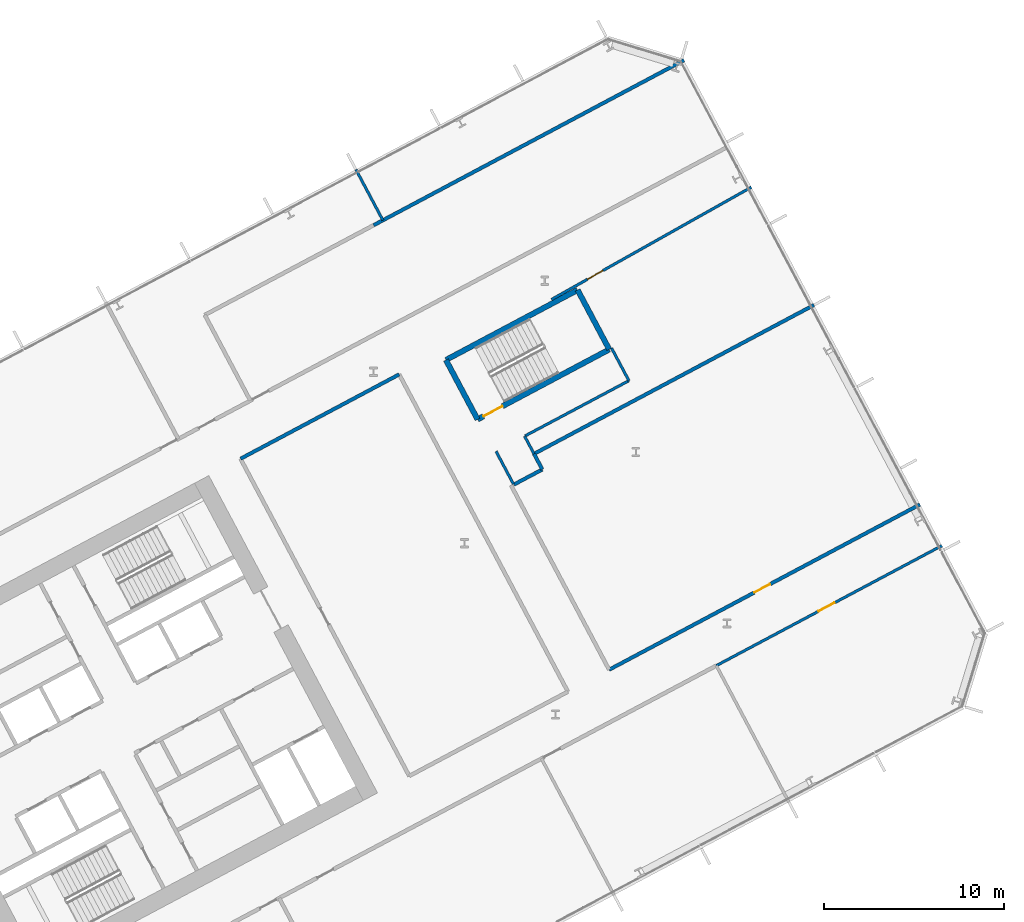
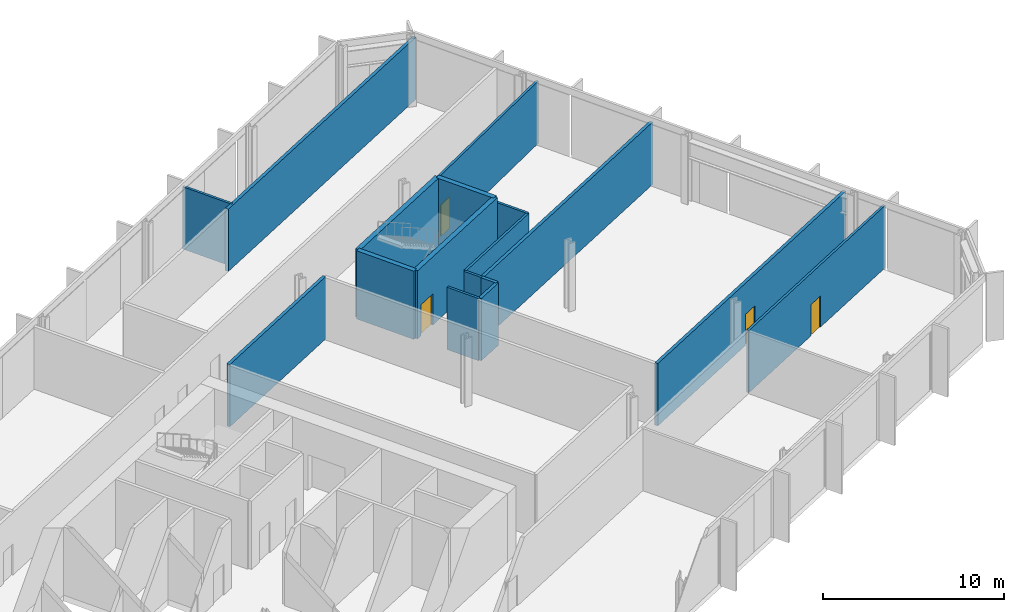
# One storey, part 19 of 31: 17 walls, 4 doors, 4 openings.
"""IFC4 building model written with IfcOpenShell, lengths in metres."""

import ifcopenshell
import ifcopenshell.guid

model = None  # the IFC model being written
_history = None  # IfcOwnerHistory: only IFC2X3 demands one
_inside = {}  # id of a spatial element -> (the spatial element, [elements in it])
_under = {}  # id of a project, library or spatial element -> (it, [spatial elements below it])
_declared = {}  # id of a project -> (the project, [libraries it declares])
_typed = {}  # id of a type object -> (the type object, [elements of that type])
_made_of = {}  # id of a material, layer set ... -> (it, [elements and type objects made of it])


def new_model(schema):
    """Start an empty IFC model of exactly this schema.

    Asked for "IFC4X3", IfcOpenShell would pick the latest addendum, in which some entities
    have other attributes; the version numbers below select the first issue.
    IFC2X3 requires an IfcOwnerHistory on every rooted entity: one is made here for all.
    """
    global model, _history
    if schema == "IFC4X3":
        model = ifcopenshell.file(schema_version=(4, 3, 0, 0))
    else:
        model = ifcopenshell.file(schema=schema)
    _inside.clear()
    _under.clear()
    _declared.clear()
    _typed.clear()
    _made_of.clear()
    _history = None
    if model.schema == "IFC2X3":
        org = make("IfcOrganization", Name="unknown")
        user = make(
            "IfcPersonAndOrganization",
            ThePerson=make("IfcPerson", FamilyName="unknown"),
            TheOrganization=org,
        )
        app = make(
            "IfcApplication",
            ApplicationDeveloper=org,
            Version="unknown",
            ApplicationFullName="unknown",
            ApplicationIdentifier="unknown",
        )
        _history = make(
            "IfcOwnerHistory",
            OwningUser=user,
            OwningApplication=app,
            ChangeAction="ADDED",
            CreationDate=0,
        )
    return model


def make(cls, **values):
    """One entity of the class cls with the attributes given. An attribute that is None is left unset."""
    return model.create_entity(
        cls, **{name: value for name, value in values.items() if value is not None}
    )


def rooted(cls, **values):
    """An entity with a GlobalId (a new one), such as an element, a storey or a relation."""
    return make(cls, GlobalId=ifcopenshell.guid.new(), OwnerHistory=_history, **values)


def si_unit(unit_type, name, prefix=None):
    """IfcSIUnit, for example si_unit("LENGTHUNIT", "METRE", prefix="MILLI")."""
    return make("IfcSIUnit", UnitType=unit_type, Prefix=prefix, Name=name)


def assignment(units):
    """IfcUnitAssignment: the units of a project."""
    return None if units is None else make("IfcUnitAssignment", Units=units)


def point(xyz):
    """IfcCartesianPoint."""
    return None if xyz is None else make("IfcCartesianPoint", Coordinates=xyz)


def direction(xyz):
    """IfcDirection."""
    return None if xyz is None else make("IfcDirection", DirectionRatios=xyz)


def frame(location, z_axis=None, x_axis=None):
    """IfcAxis2Placement3D, a coordinate frame: its origin and axes. An axis left out is left unset."""
    return make(
        "IfcAxis2Placement3D",
        Location=point(location),
        Axis=direction(z_axis),
        RefDirection=direction(x_axis),
    )


def frame_2d(location, x_axis=None):
    """IfcAxis2Placement2D, a coordinate frame in the plane: its origin and x axis."""
    return make(
        "IfcAxis2Placement2D", Location=point(location), RefDirection=direction(x_axis)
    )


def origin():
    """The frame at (0, 0, 0) with its axes left unset."""
    return frame((0.0, 0.0, 0.0))


def place(relative_to, where):
    """IfcLocalPlacement: puts the frame where relative to a parent placement (None: the world)."""
    return make(
        "IfcLocalPlacement", PlacementRelTo=relative_to, RelativePlacement=where
    )


def context(
    kind, dimensions, precision=None, world=None, true_north=None, identifier=None
):
    """IfcGeometricRepresentationContext, for example the 3D "Model" context."""
    return make(
        "IfcGeometricRepresentationContext",
        ContextIdentifier=identifier,
        ContextType=kind,
        CoordinateSpaceDimension=dimensions,
        Precision=precision,
        WorldCoordinateSystem=world,
        TrueNorth=true_north,
    )


def subcontext(parent, identifier, kind, view, scale=None):
    """IfcGeometricRepresentationSubContext, for example "Body" below "Model"."""
    return make(
        "IfcGeometricRepresentationSubContext",
        ContextIdentifier=identifier,
        ContextType=kind,
        ParentContext=parent,
        TargetScale=scale,
        TargetView=view,
    )


def project(units=None, contexts=None):
    """IfcProject with its units and contexts."""
    return rooted(
        "IfcProject",
        Name="project",
        RepresentationContexts=contexts,
        UnitsInContext=assignment(units),
    )


def spatial(cls, under=None, at=None, **own):
    """A site, building, storey or space (cls), placed at a placement, below another one or the project."""
    s = rooted(cls, ObjectPlacement=at, **own)
    if under is not None:
        _under.setdefault(under.id(), (under, []))[1].append(s)
    return s


def profile(cls, at=None, kind="AREA", **sizes):
    """A parametric profile (cls). Its sizes go by their IFC names, for example OverallWidth=200.0."""
    return make(cls, ProfileType=kind, Position=at, **sizes)


def rectangle(**sizes):
    """IfcRectangleProfileDef."""
    return profile("IfcRectangleProfileDef", **sizes)


def extrude(swept, where, along, depth):
    """IfcExtrudedAreaSolid: the profile swept, set in the frame where, extruded along a direction by depth."""
    return make(
        "IfcExtrudedAreaSolid",
        SweptArea=swept,
        Position=where,
        ExtrudedDirection=direction(along),
        Depth=depth,
    )


def shape(context_of_items, identifier, shape_type, items):
    """IfcShapeRepresentation: the items that make up one representation, for example the "Body"."""
    return make(
        "IfcShapeRepresentation",
        ContextOfItems=context_of_items,
        RepresentationIdentifier=identifier,
        RepresentationType=shape_type,
        Items=items,
    )


def material(Name=None, Category=None):
    """IfcMaterial."""
    return make("IfcMaterial", Name=Name, Category=Category)


def layer(
    of_material, thickness, ventilated=None, Name=None, Category=None, Priority=None
):
    """IfcMaterialLayer: one layer of a wall or slab, of a material (None: an air gap)."""
    return make(
        "IfcMaterialLayer",
        Material=of_material,
        LayerThickness=thickness,
        IsVentilated=ventilated,
        Name=Name,
        Category=Category,
        Priority=Priority,
    )


def layer_set(layers, Name=None):
    """IfcMaterialLayerSet."""
    return make("IfcMaterialLayerSet", MaterialLayers=layers, LayerSetName=Name)


def made_of(thing, what):
    """Note that an element or type object is made of a material, layer set ...; save() writes the relation."""
    if what is not None:
        _made_of.setdefault(what.id(), (what, []))[1].append(thing)
    return thing


def type_object(cls, material=None, **own):
    """A type object (cls), such as IfcWallType, which elements share."""
    return made_of(rooted(cls, **own), material)


def element(
    cls,
    number,
    at=None,
    inside=None,
    cuts=None,
    type_object=None,
    material=None,
    context=None,
    identifier="Body",
    shape_type=None,
    held_by="IfcProductDefinitionShape",
    body=None,
    shapes=None,
    **own,
):
    """One element of the class cls, such as IfcWall. Its Tag is "e" and its number.

    at: its placement. inside: the storey or other place that contains it. cuts: it is an
    opening in that element (IfcRelVoidsElement). A single representation is given by context,
    identifier, shape_type and body (its items); several are given by shapes. held_by: the class
    of the entity that holds the representations. save() writes the other relations.
    """
    e = rooted(cls, Tag="e%d" % number, ObjectPlacement=at, **own)
    if body is not None:
        shapes = [shape(context, identifier, shape_type, body)]
    if shapes is not None:
        e.Representation = make(held_by, Representations=shapes)
    if inside is not None:
        _inside.setdefault(inside.id(), (inside, []))[1].append(e)
    if cuts is not None:
        rooted(
            "IfcRelVoidsElement", RelatingBuildingElement=cuts, RelatedOpeningElement=e
        )
    if type_object is not None:
        _typed.setdefault(type_object.id(), (type_object, []))[1].append(e)
    return made_of(e, material)


def fill(opening, filler):
    """IfcRelFillsElement: the door or window that sits in an opening."""
    return rooted(
        "IfcRelFillsElement",
        RelatingOpeningElement=opening,
        RelatedBuildingElement=filler,
    )


def aggregate(whole, parts):
    """IfcRelAggregates: a whole, such as a stair, and the parts it consists of."""
    return rooted("IfcRelAggregates", RelatingObject=whole, RelatedObjects=parts)


def save(model, path):
    """Write the relations noted so far, then the file.

    IfcRelAggregates (storeys below a building ...), IfcRelContainedInSpatialStructure (elements
    in a storey), IfcRelDefinesByType, IfcRelAssociatesMaterial and IfcRelDeclares: one each for
    every whole, place, type object, material and project.
    """
    for whole, parts in _under.values():
        aggregate(whole, parts)
    for where, things in _inside.values():
        rooted(
            "IfcRelContainedInSpatialStructure",
            RelatedElements=things,
            RelatingStructure=where,
        )
    for kind, things in _typed.values():
        rooted("IfcRelDefinesByType", RelatedObjects=things, RelatingType=kind)
    for what, things in _made_of.values():
        rooted("IfcRelAssociatesMaterial", RelatedObjects=things, RelatingMaterial=what)
    for by, libraries in _declared.values():
        rooted("IfcRelDeclares", RelatingContext=by, RelatedDefinitions=libraries)
    model.write(path)


model = new_model("IFC4")

# Units and contexts
model_context = context("Model", 3, precision=1e-05, world=origin(), true_north=direction((0.0, 1.0)))
body_context = subcontext(model_context, "Body", "Model", "MODEL_VIEW")
ifc_project = project(units=[si_unit("LENGTHUNIT", "METRE"), si_unit("AREAUNIT", "SQUARE_METRE"), si_unit("VOLUMEUNIT", "CUBIC_METRE"), si_unit("PLANEANGLEUNIT", "RADIAN"), si_unit("MASSUNIT", "GRAM", prefix="KILO")], contexts=[model_context])

# Site, building, storey
site_placement = place(None, origin())
site = spatial("IfcSite", under=ifc_project, at=site_placement, CompositionType="ELEMENT")
building_placement = place(site_placement, origin())
building = spatial("IfcBuilding", under=site, at=building_placement, Name="Cormorant Relay Tower", CompositionType="ELEMENT")
storey_placement = place(building_placement, frame((0.0, 0.0, 93.800048828125)))
storey = spatial("IfcBuildingStorey", under=building, at=storey_placement, Name="L18", CompositionType="ELEMENT", Elevation=93.800048828125)

# Walls
ifc_material_1 = material(Name="Fire-rated gypsum board partition")
ifc_layer_1 = layer(ifc_material_1, 0.199951171875)
ifc_layer_set_1 = layer_set([ifc_layer_1], Name="Fire-rated gypsum partition 200")
wall_type_1 = type_object("IfcWallType", Name="Fire-rated gypsum partition 200", PredefinedType="PARTITIONING", material=ifc_layer_set_1)
wall_1_placement = place(storey_placement, frame((38.028076171875, 40.60693359375, 0.0), z_axis=(0.0, 0.0, 1.0), x_axis=(0.882955326711, 0.469457017237, 0.0)))
element("IfcWall", 1, at=wall_1_placement, inside=storey, type_object=wall_type_1, Name="wall/L18/part/40", PredefinedType="PARTITIONING", context=body_context, shape_type="SweptSolid", body=[
    extrude(rectangle(XDim=19.576171875, YDim=0.199951171875, at=frame_2d((9.7880859375, 0.0))), origin(), (0.0, 0.0, 1.0), 4.199951171875),
])
wall_2_placement = place(storey_placement, frame((46.9580078125, 27.881103515625, 0.0), z_axis=(0.0, 0.0, 1.0), x_axis=(0.469300305861, -0.883038630479, 0.0)))
element("IfcWall", 2, at=wall_2_placement, inside=storey, type_object=wall_type_1, Name="wall/L18/part/44", PredefinedType="PARTITIONING", context=body_context, shape_type="SweptSolid", body=[
    extrude(rectangle(XDim=0.984375, YDim=0.199951171875, at=frame_2d((0.4921875, 0.0))), origin(), (0.0, 0.0, 1.0), 4.199951171875),
])
wall_3_placement = place(storey_placement, frame((47.419921875, 27.011962890625, 0.0), z_axis=(0.0, 0.0, 1.0), x_axis=(-0.88313680222, -0.46911553861, 0.0)))
element("IfcWall", 3, at=wall_3_placement, inside=storey, type_object=wall_type_1, Name="wall/L18/part/45", PredefinedType="PARTITIONING", context=body_context, shape_type="SweptSolid", body=[
    extrude(rectangle(XDim=1.799072265625, YDim=0.199951171875, at=frame_2d((0.8994140625, 0.0))), origin(), (0.0, 0.0, 1.0), 4.199951171875),
])
wall_4_placement = place(storey_placement, frame((62.5419921875, 36.166015625, 0.0), z_axis=(0.0, 0.0, 1.0), x_axis=(-0.8829766993, -0.469416817438, 0.0)))
element("IfcWall", 4, at=wall_4_placement, inside=storey, type_object=wall_type_1, Name="wall/L18/part/49", PredefinedType="PARTITIONING", context=body_context, shape_type="SweptSolid", body=[
    extrude(rectangle(XDim=17.6494140625, YDim=0.199951171875, at=frame_2d((8.82470703125, 0.0))), origin(), (0.0, 0.0, 1.0), 4.199951171875),
])

# Wall, opening, door
wall_5_placement = place(storey_placement, frame((51.137939453125, 15.864990234375, 0.0), z_axis=(0.0, 0.0, 1.0), x_axis=(0.882966979162, 0.469435100636, 0.0)))
wall_5 = element("IfcWall", 5, at=wall_5_placement, inside=storey, type_object=wall_type_1, Name="wall/L18/part/50", PredefinedType="PARTITIONING", context=body_context, shape_type="SweptSolid", body=[
    extrude(rectangle(XDim=19.60009765625, YDim=0.199951171875, at=frame_2d((9.800048828125, 0.0))), origin(), (0.0, 0.0, 1.0), 4.199951171875),
])
opening_1_placement = place(wall_5_placement, frame((9.14990234375, 0.0, 0.0)))
opening_1 = element("IfcOpeningElement", 6, at=opening_1_placement, cuts=wall_5, Name="Opening FD1-109", PredefinedType="OPENING", context=body_context, shape_type="SweptSolid", body=[
    extrude(rectangle(XDim=1.0, YDim=2.10009765625, at=frame_2d((0.5, 1.050048828125))), frame((0.0, 0.10986328125, 0.0), z_axis=(0.0, -1.0, 0.0), x_axis=(1.0, 0.0, 0.0)), (0.0, 0.0, 1.0), 0.219970703125),
])
ifc_material_2 = material(Name="Fire-rated steel door", Category="steel")
door_type_1 = type_object("IfcDoorType", Name="Fire door 1000 x 2100", OperationType="SINGLE_SWING_LEFT", PredefinedType="DOOR", material=ifc_material_2)
door_1_placement = place(opening_1_placement, origin())
door_1 = element("IfcDoor", 7, at=door_1_placement, inside=storey, type_object=door_type_1, Name="door/L18/22", OperationType="SINGLE_SWING_LEFT", OverallHeight=2.10009765625, OverallWidth=1.0, PredefinedType="DOOR", context=body_context, shape_type="SweptSolid", body=[
    extrude(rectangle(XDim=1.0, YDim=2.10009765625, at=frame_2d((0.5, 1.050048828125))), frame((0.0, 0.02490234375, 0.0), z_axis=(0.0, -1.0, 0.0), x_axis=(1.0, 0.0, 0.0)), (0.0, 0.0, 1.0), 0.050048828125),
])
fill(opening_1, door_1)

# Walls
wall_6_placement = place(storey_placement, frame((30.623046875, 27.60791015625, 0.0), z_axis=(0.0, 0.0, 1.0), x_axis=(0.882940863385, 0.469484218867, 0.0)))
element("IfcWall", 8, at=wall_6_placement, inside=storey, type_object=wall_type_1, Name="wall/L18/part/65", PredefinedType="PARTITIONING", context=body_context, shape_type="SweptSolid", body=[
    extrude(rectangle(XDim=10.00048828125, YDim=0.199951171875, at=frame_2d((5.000244140625, 0.0))), origin(), (0.0, 0.0, 1.0), 4.199951171875),
])
ifc_material_3 = material(Name="Gypsum board partition")
ifc_layer_2 = layer(ifc_material_3, 0.14990234375)
ifc_layer_set_2 = layer_set([ifc_layer_2], Name="Gypsum board partition 150")
wall_type_2 = type_object("IfcWallType", Name="Gypsum board partition 150", PredefinedType="PARTITIONING", material=ifc_layer_set_2)
wall_7_placement = place(storey_placement, frame((37.0439453125, 43.70703125, 0.0), z_axis=(0.0, 0.0, 1.0), x_axis=(0.469447181805, -0.882960556025, 0.0)))
element("IfcWall", 9, at=wall_7_placement, inside=storey, type_object=wall_type_2, Name="wall/L18/part/39", PredefinedType="PARTITIONING", context=body_context, shape_type="SweptSolid", body=[
    extrude(rectangle(XDim=3.199462890625, YDim=0.14990234375, at=frame_2d((1.599609375, 0.0))), origin(), (0.0, 0.0, 1.0), 4.199951171875),
])

# Wall, opening, door
wall_8_placement = place(storey_placement, frame((59.053955078125, 42.72509765625, 0.0), z_axis=(0.0, 0.0, 1.0), x_axis=(-0.871718625081, -0.490006774124, 0.0)))
wall_8 = element("IfcWall", 10, at=wall_8_placement, inside=storey, type_object=wall_type_2, Name="wall/L18/part/41", PredefinedType="PARTITIONING", context=body_context, shape_type="SweptSolid", body=[
    extrude(rectangle(XDim=12.75537109375, YDim=0.14990234375, at=frame_2d((6.377685546875, 0.0))), origin(), (0.0, 0.0, 1.0), 4.199951171875),
])
opening_2_placement = place(wall_8_placement, frame((9.468017578125, 0.0, 0.0)))
opening_2 = element("IfcOpeningElement", 11, at=opening_2_placement, cuts=wall_8, Name="Opening D1-046", PredefinedType="OPENING", context=body_context, shape_type="SweptSolid", body=[
    extrude(rectangle(XDim=1.0, YDim=2.10009765625, at=frame_2d((0.5, 1.050048828125))), frame((0.0, 0.0849609375, 0.0), z_axis=(0.0, -1.0, 0.0), x_axis=(1.0, 0.0, 0.0)), (0.0, 0.0, 1.0), 0.169921875),
])
ifc_material_4 = material(Name="Painted steel door", Category="steel")
door_type_2 = type_object("IfcDoorType", Name="Single door 1000 x 2100", OperationType="SINGLE_SWING_LEFT", PredefinedType="DOOR", material=ifc_material_4)
door_2_placement = place(opening_2_placement, origin())
door_2 = element("IfcDoor", 12, at=door_2_placement, inside=storey, type_object=door_type_2, Name="door/L18/23", OperationType="SINGLE_SWING_RIGHT", OverallHeight=2.10009765625, OverallWidth=1.0, PredefinedType="DOOR", context=body_context, shape_type="SweptSolid", body=[
    extrude(rectangle(XDim=1.0, YDim=2.10009765625, at=frame_2d((0.5, 1.050048828125))), frame((0.0, 0.02490234375, 0.0), z_axis=(0.0, -1.0, 0.0), x_axis=(1.0, 0.0, 0.0)), (0.0, 0.0, 1.0), 0.050048828125),
])
fill(opening_2, door_2)

# Walls
wall_9_placement = place(storey_placement, frame((45.811279296875, 26.2021484375, 0.0), z_axis=(0.0, 0.0, 1.0), x_axis=(-0.469172559653, 0.883106510716, 0.0)))
element("IfcWall", 13, at=wall_9_placement, inside=storey, type_object=wall_type_2, Name="wall/L18/part/42", PredefinedType="PARTITIONING", context=body_context, shape_type="SweptSolid", body=[
    extrude(rectangle(XDim=2.0595703125, YDim=0.14990234375, at=frame_2d((1.02978515625, 0.0))), origin(), (0.0, 0.0, 1.0), 4.199951171875),
])
wall_10_placement = place(storey_placement, frame((52.239013671875, 31.952880859375, 0.0), z_axis=(0.0, 0.0, 1.0), x_axis=(-0.882908561856, -0.469544962065, 0.0)))
element("IfcWall", 14, at=wall_10_placement, inside=storey, type_object=wall_type_2, Name="wall/L18/part/46", PredefinedType="PARTITIONING", context=body_context, shape_type="SweptSolid", body=[
    extrude(rectangle(XDim=6.548828125, YDim=0.14990234375, at=frame_2d((3.2744140625, 0.0))), origin(), (0.0, 0.0, 1.0), 4.199951171875),
])
wall_11_placement = place(storey_placement, frame((52.239013671875, 31.952880859375, 0.0), z_axis=(0.0, 0.0, 1.0), x_axis=(-0.469697898274, 0.882827210929, 0.0)))
element("IfcWall", 15, at=wall_11_placement, inside=storey, type_object=wall_type_2, Name="wall/L18/part/47", PredefinedType="PARTITIONING", context=body_context, shape_type="SweptSolid", body=[
    extrude(rectangle(XDim=2.050048828125, YDim=0.14990234375, at=frame_2d((1.02490234375, 0.0))), origin(), (0.0, 0.0, 1.0), 4.199951171875),
])
wall_12_placement = place(storey_placement, frame((46.43408203125, 28.865966796875, 0.0), z_axis=(0.0, 0.0, 1.0), x_axis=(0.469656526593, -0.882849221005, 0.0)))
element("IfcWall", 16, at=wall_12_placement, inside=storey, type_object=wall_type_2, Name="wall/L18/part/48", PredefinedType="PARTITIONING", context=body_context, shape_type="SweptSolid", body=[
    extrude(rectangle(XDim=1.115478515625, YDim=0.14990234375, at=frame_2d((0.5576171875, 0.0))), origin(), (0.0, 0.0, 1.0), 4.199951171875),
])

# Wall, opening, door
wall_13_placement = place(storey_placement, frame((57.10498046875, 16.093017578125, 0.0), z_axis=(0.0, 0.0, 1.0), x_axis=(0.882869815227, 0.469617812015, 0.0)))
wall_13 = element("IfcWall", 17, at=wall_13_placement, inside=storey, type_object=wall_type_2, Name="wall/L18/part/52", PredefinedType="PARTITIONING", context=body_context, shape_type="SweptSolid", body=[
    extrude(rectangle(XDim=14.22412109375, YDim=0.14990234375, at=frame_2d((7.112060546875, 0.0))), origin(), (0.0, 0.0, 1.0), 4.199951171875),
])
opening_3_placement = place(wall_13_placement, frame((6.449951171875, 0.0, 0.0)))
opening_3 = element("IfcOpeningElement", 18, at=opening_3_placement, cuts=wall_13, Name="Opening D1-045", PredefinedType="OPENING", context=body_context, shape_type="SweptSolid", body=[
    extrude(rectangle(XDim=1.0, YDim=2.10009765625, at=frame_2d((0.5, 1.050048828125))), frame((0.0, 0.0849609375, 0.0), z_axis=(0.0, -1.0, 0.0), x_axis=(1.0, 0.0, 0.0)), (0.0, 0.0, 1.0), 0.169921875),
])
door_3_placement = place(opening_3_placement, frame((1.0, 0.0, 0.0), z_axis=(0.0, 0.0, 1.0), x_axis=(-1.0, 0.0, 0.0)))
door_3 = element("IfcDoor", 19, at=door_3_placement, inside=storey, type_object=door_type_2, Name="door/L18/16", OperationType="SINGLE_SWING_RIGHT", OverallHeight=2.10009765625, OverallWidth=1.0, PredefinedType="DOOR", context=body_context, shape_type="SweptSolid", body=[
    extrude(rectangle(XDim=1.0, YDim=2.10009765625, at=frame_2d((0.5, 1.050048828125))), frame((0.0, 0.02490234375, 0.0), z_axis=(0.0, -1.0, 0.0), x_axis=(1.0, 0.0, 0.0)), (0.0, 0.0, 1.0), 0.050048828125),
])
fill(opening_3, door_3)

# Wall
ifc_material_5 = material(Name="Concrete 50 MPa", Category="concrete")
ifc_layer_3 = layer(ifc_material_5, 0.300048828125)
ifc_layer_set_3 = layer_set([ifc_layer_3], Name="Remote stair wall 300")
wall_type_3 = type_object("IfcWallType", Name="Remote stair wall 300", PredefinedType="SHEAR", material=ifc_layer_set_3)
wall_14_placement = place(storey_placement, frame((49.384033203125, 37.00390625, 0.0), z_axis=(0.0, 0.0, 1.0), x_axis=(0.46946936446, -0.882948761726, 0.0)))
element("IfcWall", 20, at=wall_14_placement, inside=storey, type_object=wall_type_3, Name="L18 exit stair RB1 wall", PredefinedType="SHEAR", context=body_context, shape_type="SweptSolid", body=[
    extrude(rectangle(XDim=3.75, YDim=0.300048828125, at=frame_2d((1.875, 0.0))), origin(), (0.0, 0.0, 1.0), 4.599853515625),
])

# Wall, opening, door
wall_15_placement = place(storey_placement, frame((51.14453125, 33.69287109375, 0.0), z_axis=(0.0, 0.0, 1.0), x_axis=(-0.882945809314, -0.469474917132, 0.0)))
wall_15 = element("IfcWall", 21, at=wall_15_placement, inside=storey, type_object=wall_type_3, Name="L18 exit stair RB1 wall", PredefinedType="SHEAR", context=body_context, shape_type="SweptSolid", body=[
    extrude(rectangle(XDim=8.30029296875, YDim=0.300048828125, at=frame_2d((4.150146484375, 0.0))), origin(), (0.0, 0.0, 1.0), 4.599853515625),
])
opening_4_placement = place(wall_15_placement, frame((6.72509765625, 0.0, 0.0)))
opening_4 = element("IfcOpeningElement", 22, at=opening_4_placement, cuts=wall_15, Name="Opening CDB-028", PredefinedType="OPENING", context=body_context, shape_type="SweptSolid", body=[
    extrude(rectangle(XDim=1.199951171875, YDim=2.10009765625, at=frame_2d((0.60009765625, 1.050048828125))), frame((0.0, 0.159912109375, 0.0), z_axis=(0.0, -1.0, 0.0), x_axis=(1.0, 0.0, 0.0)), (0.0, 0.0, 1.0), 0.320068359375),
])
ifc_material_6 = material(Name="Steel fire door", Category="steel")
door_type_3 = type_object("IfcDoorType", Name="Core stair door 1200x2100", OperationType="SINGLE_SWING_LEFT", PredefinedType="DOOR", material=ifc_material_6)
door_4_placement = place(opening_4_placement, frame((1.199951171875, 0.0, 0.0), z_axis=(0.0, 0.0, 1.0), x_axis=(-1.0, 0.0, 0.0)))
door_4 = element("IfcDoor", 23, at=door_4_placement, inside=storey, type_object=door_type_3, Name="Exit stair RB1 door", OperationType="SINGLE_SWING_LEFT", OverallHeight=2.10009765625, OverallWidth=1.199951171875, PredefinedType="DOOR", context=body_context, shape_type="SweptSolid", body=[
    extrude(rectangle(XDim=1.199951171875, YDim=2.10009765625, at=frame_2d((0.60009765625, 1.050048828125))), frame((0.0, 0.02490234375, 0.0), z_axis=(0.0, -1.0, 0.0), x_axis=(1.0, 0.0, 0.0)), (0.0, 0.0, 1.0), 0.050048828125),
])
fill(opening_4, door_4)

# Walls
wall_16_placement = place(storey_placement, frame((43.81591796875, 29.796142578125, 0.0), z_axis=(0.0, 0.0, 1.0), x_axis=(-0.46946936446, 0.882948761726, 0.0)))
element("IfcWall", 24, at=wall_16_placement, inside=storey, type_object=wall_type_3, Name="L18 exit stair RB1 wall", PredefinedType="SHEAR", context=body_context, shape_type="SweptSolid", body=[
    extrude(rectangle(XDim=3.75, YDim=0.300048828125, at=frame_2d((1.875, 0.0))), origin(), (0.0, 0.0, 1.0), 4.599853515625),
])
wall_17_placement = place(storey_placement, frame((42.055419921875, 33.107177734375, 0.0), z_axis=(0.0, 0.0, 1.0), x_axis=(0.882945809314, 0.469474917132, 0.0)))
element("IfcWall", 25, at=wall_17_placement, inside=storey, type_object=wall_type_3, Name="L18 exit stair RB1 wall", PredefinedType="SHEAR", context=body_context, shape_type="SweptSolid", body=[
    extrude(rectangle(XDim=8.30029296875, YDim=0.300048828125, at=frame_2d((4.150146484375, 0.0))), origin(), (0.0, 0.0, 1.0), 4.599853515625),
])

save(model, "model.ifc")
